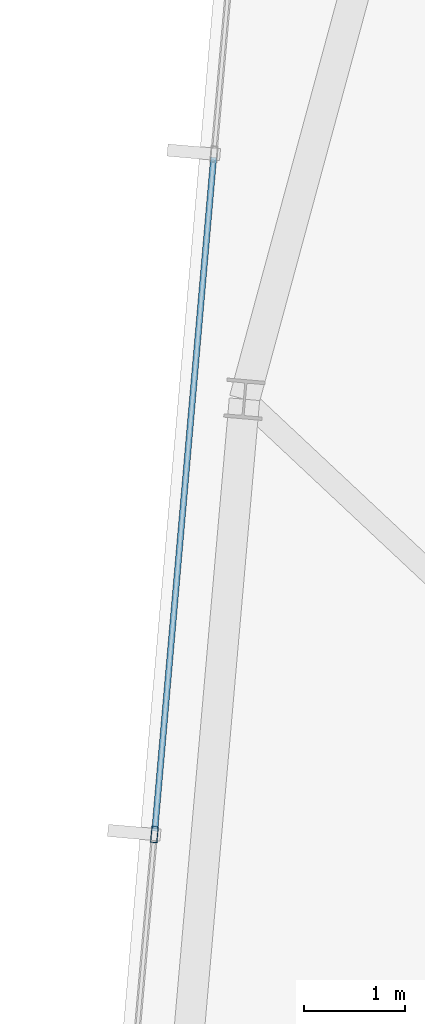
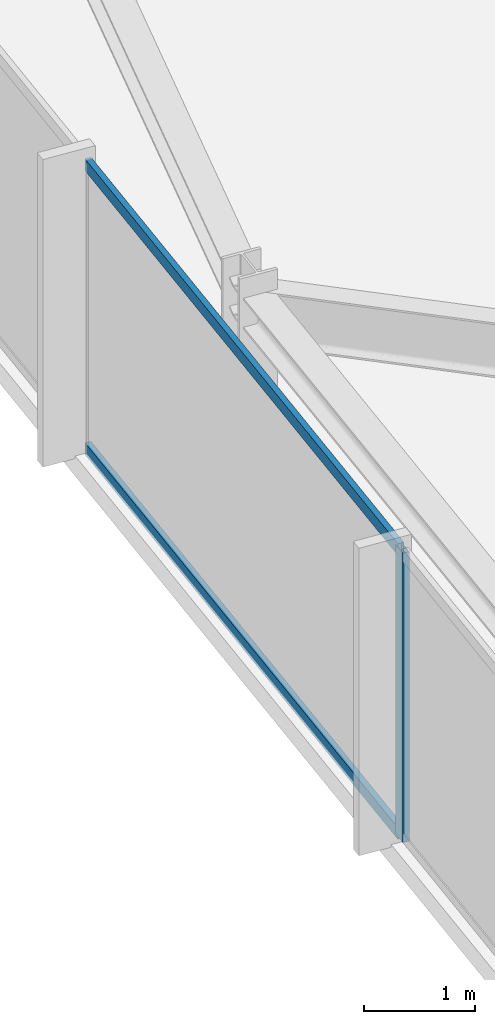
# One storey, part 9 of 32: 3 members, 1 element without a shape of its own.
"""IFC4 building model written with IfcOpenShell, lengths in metres."""

import ifcopenshell
import ifcopenshell.guid

model = None  # the IFC model being written
_history = None  # IfcOwnerHistory: only IFC2X3 demands one
_inside = {}  # id of a spatial element -> (the spatial element, [elements in it])
_under = {}  # id of a project, library or spatial element -> (it, [spatial elements below it])
_declared = {}  # id of a project -> (the project, [libraries it declares])
_typed = {}  # id of a type object -> (the type object, [elements of that type])
_made_of = {}  # id of a material, layer set ... -> (it, [elements and type objects made of it])


def new_model(schema):
    """Start an empty IFC model of exactly this schema.

    Asked for "IFC4X3", IfcOpenShell would pick the latest addendum, in which some entities
    have other attributes; the version numbers below select the first issue.
    IFC2X3 requires an IfcOwnerHistory on every rooted entity: one is made here for all.
    """
    global model, _history
    if schema == "IFC4X3":
        model = ifcopenshell.file(schema_version=(4, 3, 0, 0))
    else:
        model = ifcopenshell.file(schema=schema)
    _inside.clear()
    _under.clear()
    _declared.clear()
    _typed.clear()
    _made_of.clear()
    _history = None
    if model.schema == "IFC2X3":
        org = make("IfcOrganization", Name="unknown")
        user = make(
            "IfcPersonAndOrganization",
            ThePerson=make("IfcPerson", FamilyName="unknown"),
            TheOrganization=org,
        )
        app = make(
            "IfcApplication",
            ApplicationDeveloper=org,
            Version="unknown",
            ApplicationFullName="unknown",
            ApplicationIdentifier="unknown",
        )
        _history = make(
            "IfcOwnerHistory",
            OwningUser=user,
            OwningApplication=app,
            ChangeAction="ADDED",
            CreationDate=0,
        )
    return model


def make(cls, **values):
    """One entity of the class cls with the attributes given. An attribute that is None is left unset."""
    return model.create_entity(
        cls, **{name: value for name, value in values.items() if value is not None}
    )


def rooted(cls, **values):
    """An entity with a GlobalId (a new one), such as an element, a storey or a relation."""
    return make(cls, GlobalId=ifcopenshell.guid.new(), OwnerHistory=_history, **values)


def si_unit(unit_type, name, prefix=None):
    """IfcSIUnit, for example si_unit("LENGTHUNIT", "METRE", prefix="MILLI")."""
    return make("IfcSIUnit", UnitType=unit_type, Prefix=prefix, Name=name)


def assignment(units):
    """IfcUnitAssignment: the units of a project."""
    return None if units is None else make("IfcUnitAssignment", Units=units)


def point(xyz):
    """IfcCartesianPoint."""
    return None if xyz is None else make("IfcCartesianPoint", Coordinates=xyz)


def direction(xyz):
    """IfcDirection."""
    return None if xyz is None else make("IfcDirection", DirectionRatios=xyz)


def frame(location, z_axis=None, x_axis=None):
    """IfcAxis2Placement3D, a coordinate frame: its origin and axes. An axis left out is left unset."""
    return make(
        "IfcAxis2Placement3D",
        Location=point(location),
        Axis=direction(z_axis),
        RefDirection=direction(x_axis),
    )


def frame_2d(location, x_axis=None):
    """IfcAxis2Placement2D, a coordinate frame in the plane: its origin and x axis."""
    return make(
        "IfcAxis2Placement2D", Location=point(location), RefDirection=direction(x_axis)
    )


def origin():
    """The frame at (0, 0, 0) with its axes left unset."""
    return frame((0.0, 0.0, 0.0))


def origin_2d():
    """The frame at (0, 0) in the plane with its x axis left unset."""
    return frame_2d((0.0, 0.0))


def place(relative_to, where):
    """IfcLocalPlacement: puts the frame where relative to a parent placement (None: the world)."""
    return make(
        "IfcLocalPlacement", PlacementRelTo=relative_to, RelativePlacement=where
    )


def context(
    kind, dimensions, precision=None, world=None, true_north=None, identifier=None
):
    """IfcGeometricRepresentationContext, for example the 3D "Model" context."""
    return make(
        "IfcGeometricRepresentationContext",
        ContextIdentifier=identifier,
        ContextType=kind,
        CoordinateSpaceDimension=dimensions,
        Precision=precision,
        WorldCoordinateSystem=world,
        TrueNorth=true_north,
    )


def subcontext(parent, identifier, kind, view, scale=None):
    """IfcGeometricRepresentationSubContext, for example "Body" below "Model"."""
    return make(
        "IfcGeometricRepresentationSubContext",
        ContextIdentifier=identifier,
        ContextType=kind,
        ParentContext=parent,
        TargetScale=scale,
        TargetView=view,
    )


def project(units=None, contexts=None):
    """IfcProject with its units and contexts."""
    return rooted(
        "IfcProject",
        Name="project",
        RepresentationContexts=contexts,
        UnitsInContext=assignment(units),
    )


def spatial(cls, under=None, at=None, **own):
    """A site, building, storey or space (cls), placed at a placement, below another one or the project."""
    s = rooted(cls, ObjectPlacement=at, **own)
    if under is not None:
        _under.setdefault(under.id(), (under, []))[1].append(s)
    return s


def profile(cls, at=None, kind="AREA", **sizes):
    """A parametric profile (cls). Its sizes go by their IFC names, for example OverallWidth=200.0."""
    return make(cls, ProfileType=kind, Position=at, **sizes)


def hollow_rectangle(**sizes):
    """IfcRectangleHollowProfileDef."""
    return profile("IfcRectangleHollowProfileDef", **sizes)


def extrude(swept, where, along, depth):
    """IfcExtrudedAreaSolid: the profile swept, set in the frame where, extruded along a direction by depth."""
    return make(
        "IfcExtrudedAreaSolid",
        SweptArea=swept,
        Position=where,
        ExtrudedDirection=direction(along),
        Depth=depth,
    )


def shape(context_of_items, identifier, shape_type, items):
    """IfcShapeRepresentation: the items that make up one representation, for example the "Body"."""
    return make(
        "IfcShapeRepresentation",
        ContextOfItems=context_of_items,
        RepresentationIdentifier=identifier,
        RepresentationType=shape_type,
        Items=items,
    )


def material(Name=None, Category=None):
    """IfcMaterial."""
    return make("IfcMaterial", Name=Name, Category=Category)


def material_profile(
    of_material, cross_section, Name=None, Category=None, Priority=None
):
    """IfcMaterialProfile: a cross section and its material."""
    return make(
        "IfcMaterialProfile",
        Name=Name,
        Material=of_material,
        Profile=cross_section,
        Priority=Priority,
        Category=Category,
    )


def profile_set(profiles, Name=None, composite=None):
    """IfcMaterialProfileSet."""
    return make(
        "IfcMaterialProfileSet",
        Name=Name,
        MaterialProfiles=profiles,
        CompositeProfile=composite,
    )


def made_of(thing, what):
    """Note that an element or type object is made of a material, layer set ...; save() writes the relation."""
    if what is not None:
        _made_of.setdefault(what.id(), (what, []))[1].append(thing)
    return thing


def type_object(cls, material=None, **own):
    """A type object (cls), such as IfcWallType, which elements share."""
    return made_of(rooted(cls, **own), material)


def element(
    cls,
    number,
    at=None,
    inside=None,
    cuts=None,
    type_object=None,
    material=None,
    context=None,
    identifier="Body",
    shape_type=None,
    held_by="IfcProductDefinitionShape",
    body=None,
    shapes=None,
    **own,
):
    """One element of the class cls, such as IfcWall. Its Tag is "e" and its number.

    at: its placement. inside: the storey or other place that contains it. cuts: it is an
    opening in that element (IfcRelVoidsElement). A single representation is given by context,
    identifier, shape_type and body (its items); several are given by shapes. held_by: the class
    of the entity that holds the representations. save() writes the other relations.
    """
    e = rooted(cls, Tag="e%d" % number, ObjectPlacement=at, **own)
    if body is not None:
        shapes = [shape(context, identifier, shape_type, body)]
    if shapes is not None:
        e.Representation = make(held_by, Representations=shapes)
    if inside is not None:
        _inside.setdefault(inside.id(), (inside, []))[1].append(e)
    if cuts is not None:
        rooted(
            "IfcRelVoidsElement", RelatingBuildingElement=cuts, RelatedOpeningElement=e
        )
    if type_object is not None:
        _typed.setdefault(type_object.id(), (type_object, []))[1].append(e)
    return made_of(e, material)


def aggregate(whole, parts):
    """IfcRelAggregates: a whole, such as a stair, and the parts it consists of."""
    return rooted("IfcRelAggregates", RelatingObject=whole, RelatedObjects=parts)


def save(model, path):
    """Write the relations noted so far, then the file.

    IfcRelAggregates (storeys below a building ...), IfcRelContainedInSpatialStructure (elements
    in a storey), IfcRelDefinesByType, IfcRelAssociatesMaterial and IfcRelDeclares: one each for
    every whole, place, type object, material and project.
    """
    for whole, parts in _under.values():
        aggregate(whole, parts)
    for where, things in _inside.values():
        rooted(
            "IfcRelContainedInSpatialStructure",
            RelatedElements=things,
            RelatingStructure=where,
        )
    for kind, things in _typed.values():
        rooted("IfcRelDefinesByType", RelatedObjects=things, RelatingType=kind)
    for what, things in _made_of.values():
        rooted("IfcRelAssociatesMaterial", RelatedObjects=things, RelatingMaterial=what)
    for by, libraries in _declared.values():
        rooted("IfcRelDeclares", RelatingContext=by, RelatedDefinitions=libraries)
    model.write(path)


model = new_model("IFC4")

# Units and contexts
model_context = context("Model", 3, precision=1e-05, world=origin(), true_north=direction((0.0, 1.0)))
body_context = subcontext(model_context, "Body", "Model", "MODEL_VIEW")
ifc_project = project(units=[si_unit("LENGTHUNIT", "METRE"), si_unit("AREAUNIT", "SQUARE_METRE"), si_unit("VOLUMEUNIT", "CUBIC_METRE"), si_unit("PLANEANGLEUNIT", "RADIAN"), si_unit("MASSUNIT", "GRAM", prefix="KILO")], contexts=[model_context])

# Site, building, storey
site_placement = place(None, origin())
site = spatial("IfcSite", under=ifc_project, at=site_placement, CompositionType="ELEMENT")
building_placement = place(site_placement, origin())
building = spatial("IfcBuilding", under=site, at=building_placement, Name="Yelkora Congress Tower", CompositionType="ELEMENT")
storey_placement = place(building_placement, frame((0.0, 0.0, 272.699951171875)))
storey = spatial("IfcBuildingStorey", under=building, at=storey_placement, Name="L76", CompositionType="ELEMENT", Elevation=272.699951171875)

# Curtain wall, members
ifc_material_1 = material(Name="Anodised aluminium and insulated glass", Category="aluminium")
curtain_wall_type = type_object("IfcCurtainWallType", Name="CW-SYS-B5", PredefinedType="NOTDEFINED", material=ifc_material_1)
curtain_wall_placement = place(storey_placement, origin())
curtain_wall = element("IfcCurtainWall", 1, at=curtain_wall_placement, inside=storey, type_object=curtain_wall_type, Name="L76 Unitised Curtain Wall 5", PredefinedType="NOTDEFINED")
ifc_material_2 = material(Name="Anodised aluminium 6063-T6", Category="aluminium")
ifc_material_profile_1 = material_profile(ifc_material_2, hollow_rectangle(XDim=0.06494140625, YDim=0.159912109375, WallThickness=0.00390625, at=origin_2d()), Name="ALU 65x160x4")
ifc_profile_set_1 = profile_set([ifc_material_profile_1], Name="Anodised aluminium 6063-T6")
member_type_1 = type_object("IfcMemberType", Name="MEM-ML-B5", PredefinedType="MULLION", material=ifc_profile_set_1)
member_1_placement = place(storey_placement, frame((6.900146484375, 35.200927734375, 0.0), z_axis=(0.0, 0.0, 1.0), x_axis=(-0.996194785929, 0.08715473876, 0.0)))
member_1 = element("IfcMember", 2, at=member_1_placement, type_object=member_type_1, Name="CW-B5 mullion 3", PredefinedType="MULLION", context=body_context, shape_type="SweptSolid", body=[
    extrude(hollow_rectangle(XDim=0.06494140625, YDim=0.159912109375, WallThickness=0.00390625, at=origin_2d()), origin(), (0.0, 0.0, 1.0), 3.179931640625),
])
ifc_material_profile_2 = material_profile(ifc_material_2, hollow_rectangle(XDim=0.06005859375, YDim=0.1298828125, WallThickness=0.00390625, at=origin_2d()), Name="ALU 60x130x4")
ifc_profile_set_2 = profile_set([ifc_material_profile_2], Name="Anodised aluminium 6063-T6")
member_type_2 = type_object("IfcMemberType", Name="MEM-TR-B5", PredefinedType="USERDEFINED", material=ifc_profile_set_2)
member_2_placement = place(storey_placement, frame((6.903076171875, 35.2333984375, 0.030029296875), z_axis=(0.087143321513, 0.996195784731, 0.0), x_axis=(-0.996195784731, 0.087143321513, 0.0)))
member_2 = element("IfcMember", 3, at=member_2_placement, type_object=member_type_2, Name="CW-B5 transom 3.1", ObjectType="TRANSOM", PredefinedType="USERDEFINED", context=body_context, shape_type="SweptSolid", body=[
    extrude(hollow_rectangle(XDim=0.06005859375, YDim=0.1298828125, WallThickness=0.00390625, at=origin_2d()), origin(), (0.0, 0.0, 1.0), 6.6650390625),
])
member_3_placement = place(storey_placement, frame((6.903076171875, 35.2333984375, 3.150146484375), z_axis=(0.087143321513, 0.996195784731, 0.0), x_axis=(-0.996195784731, 0.087143321513, 0.0)))
member_3 = element("IfcMember", 4, at=member_3_placement, type_object=member_type_2, Name="CW-B5 transom 3.2", ObjectType="TRANSOM", PredefinedType="USERDEFINED", context=body_context, shape_type="SweptSolid", body=[
    extrude(hollow_rectangle(XDim=0.06005859375, YDim=0.1298828125, WallThickness=0.00390625, at=origin_2d()), origin(), (0.0, 0.0, 1.0), 6.6650390625),
])
aggregate(curtain_wall, [member_1, member_2, member_3])

save(model, "model.ifc")
